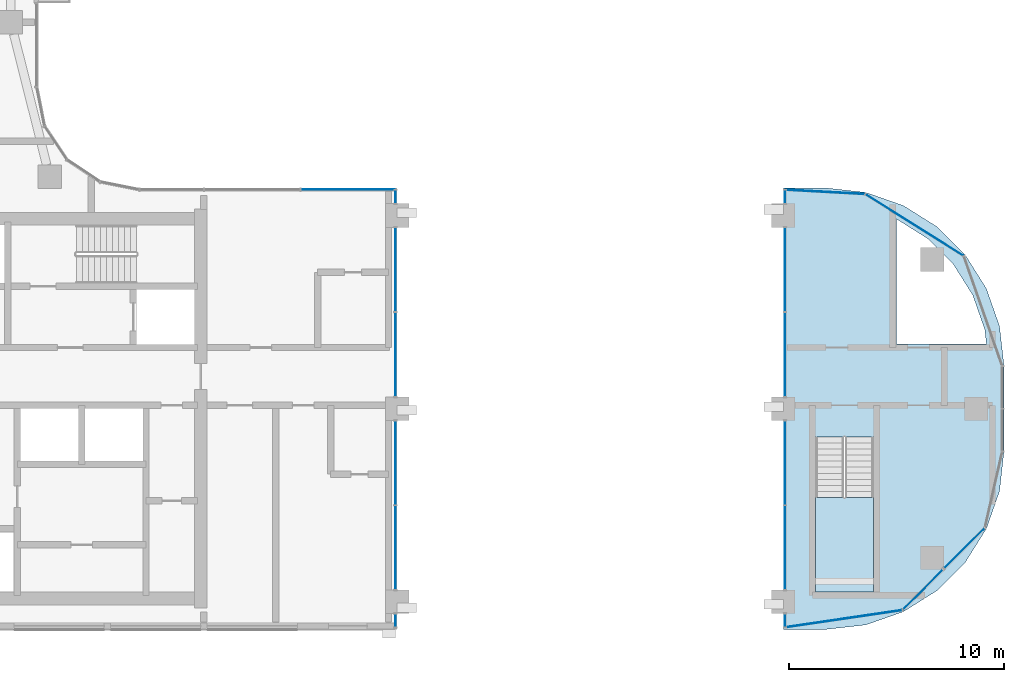
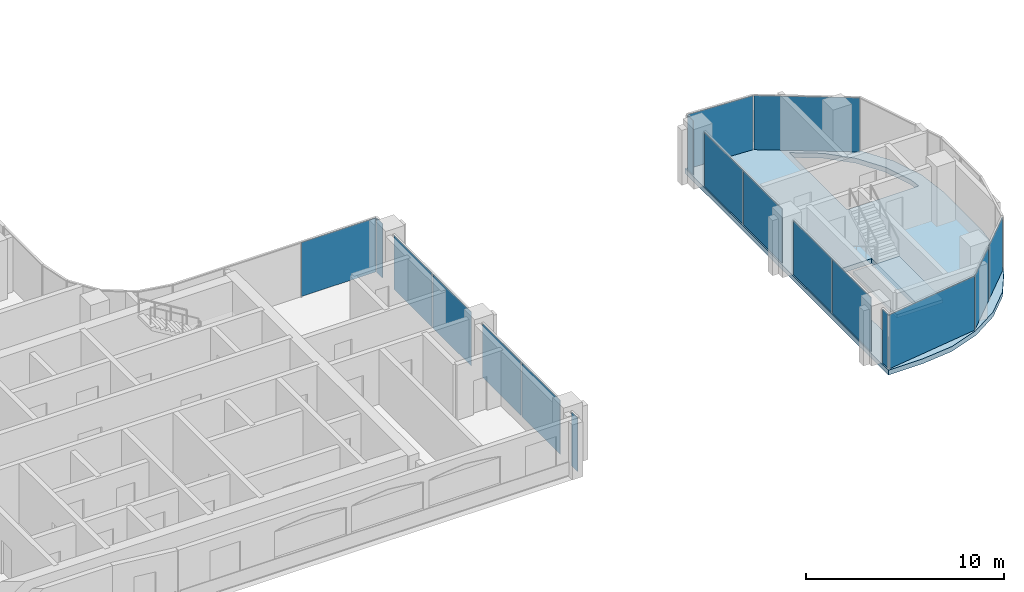
# One storey, part 8 of 23: 18 plates, 2 slabs, 13 elements without a shape of their own.
"""IFC4 building model written with IfcOpenShell, lengths in metres."""

from ifc_helpers import new_model, si_unit, direction, frame, origin, origin_2d, place, context, subcontext, project, spatial, polyline, rectangle, outline, extrude, material, layer, layer_set, type_object, element, aggregate, save


model = new_model("IFC4")

# Units and contexts
model_context = context("Model", 3, precision=1e-05, world=origin(), true_north=direction((0.0, 1.0)))
body_context = subcontext(model_context, "Body", "Model", "MODEL_VIEW")
ifc_project = project(units=[si_unit("LENGTHUNIT", "METRE"), si_unit("AREAUNIT", "SQUARE_METRE"), si_unit("VOLUMEUNIT", "CUBIC_METRE"), si_unit("PLANEANGLEUNIT", "RADIAN"), si_unit("MASSUNIT", "GRAM", prefix="KILO")], contexts=[model_context])

# Site, building, storey
site_placement = place(None, origin())
site = spatial("IfcSite", under=ifc_project, at=site_placement, CompositionType="ELEMENT")
building_placement = place(site_placement, origin())
building = spatial("IfcBuilding", under=site, at=building_placement, Name="Ogive Portal Towers", CompositionType="ELEMENT")
storey_placement = place(building_placement, frame((0.0, 0.0, 164.39990234375)))
storey = spatial("IfcBuildingStorey", under=building, at=storey_placement, Name="L40", CompositionType="ELEMENT", Elevation=164.39990234375)

# Curtain wall, plate
ifc_material_1 = material(Name="Glass, clear low-iron insulated glazing", Category="glass")
curtain_wall_type_1 = type_object("IfcCurtainWallType", Name="CW PORTAL REVEAL", PredefinedType="NOTDEFINED", material=ifc_material_1)
curtain_wall_1_placement = place(storey_placement, origin())
curtain_wall_1 = element("IfcCurtainWall", 1, at=curtain_wall_1_placement, inside=storey, type_object=curtain_wall_type_1, Name="A:L40:f06:cw0~0", PredefinedType="NOTDEFINED")
ifc_layer_1 = layer(ifc_material_1, 0.028076171875)
ifc_layer_set_1 = layer_set([ifc_layer_1], Name="CW PANEL IGU 28")
plate_type = type_object("IfcPlateType", Name="CW PANEL IGU 28", PredefinedType="CURTAIN_PANEL", material=ifc_layer_set_1)
plate_1_placement = place(storey_placement, frame((67.419921875, 20.62255859375, 0.0), z_axis=(0.0, 0.0, 1.0), x_axis=(0.0, 1.0, 0.0)))
plate_1 = element("IfcPlate", 2, at=plate_1_placement, type_object=plate_type, Name="panel", PredefinedType="CURTAIN_PANEL", context=body_context, shape_type="SweptSolid", body=[
    extrude(rectangle(XDim=0.594970703125, YDim=0.028076171875, at=origin_2d()), origin(), (0.0, 0.0, 1.0), 3.340087890625),
])
aggregate(curtain_wall_1, [plate_1])

# Curtain wall, plates
curtain_wall_2_placement = place(storey_placement, origin())
curtain_wall_2 = element("IfcCurtainWall", 3, at=curtain_wall_2_placement, inside=storey, type_object=curtain_wall_type_1, Name="A:L40:f06:cw0~1", PredefinedType="NOTDEFINED")
plate_2_placement = place(storey_placement, frame((67.419921875, 24.02490234375, 0.0), z_axis=(0.0, 0.0, 1.0), x_axis=(0.0, 1.0, 0.0)))
plate_2 = element("IfcPlate", 4, at=plate_2_placement, type_object=plate_type, Name="panel", PredefinedType="CURTAIN_PANEL", context=body_context, shape_type="SweptSolid", body=[
    extrude(rectangle(XDim=3.889892578125, YDim=0.028076171875, at=origin_2d()), origin(), (0.0, 0.0, 1.0), 3.340087890625),
])
plate_3_placement = place(storey_placement, frame((67.419921875, 27.97509765625, 0.0), z_axis=(0.0, 0.0, 1.0), x_axis=(0.0, 1.0, 0.0)))
plate_3 = element("IfcPlate", 5, at=plate_3_placement, type_object=plate_type, Name="panel", PredefinedType="CURTAIN_PANEL", context=body_context, shape_type="SweptSolid", body=[
    extrude(rectangle(XDim=3.889892578125, YDim=0.028076171875, at=origin_2d()), origin(), (0.0, 0.0, 1.0), 3.340087890625),
])
aggregate(curtain_wall_2, [plate_2, plate_3])

curtain_wall_3_placement = place(storey_placement, origin())
curtain_wall_3 = element("IfcCurtainWall", 6, at=curtain_wall_3_placement, inside=storey, type_object=curtain_wall_type_1, Name="A:L40:f06:cw0~2", PredefinedType="NOTDEFINED")
plate_4_placement = place(storey_placement, frame((67.419921875, 33.02490234375, 0.0), z_axis=(0.0, 0.0, 1.0), x_axis=(0.0, 1.0, 0.0)))
plate_4 = element("IfcPlate", 7, at=plate_4_placement, type_object=plate_type, Name="panel", PredefinedType="CURTAIN_PANEL", context=body_context, shape_type="SweptSolid", body=[
    extrude(rectangle(XDim=3.889892578125, YDim=0.028076171875, at=origin_2d()), origin(), (0.0, 0.0, 1.0), 3.340087890625),
])
plate_5_placement = place(storey_placement, frame((67.419921875, 36.97509765625, 0.0), z_axis=(0.0, 0.0, 1.0), x_axis=(0.0, 1.0, 0.0)))
plate_5 = element("IfcPlate", 8, at=plate_5_placement, type_object=plate_type, Name="panel", PredefinedType="CURTAIN_PANEL", context=body_context, shape_type="SweptSolid", body=[
    extrude(rectangle(XDim=3.889892578125, YDim=0.028076171875, at=origin_2d()), origin(), (0.0, 0.0, 1.0), 3.340087890625),
])
aggregate(curtain_wall_3, [plate_4, plate_5])

# Curtain wall, plate
curtain_wall_4_placement = place(storey_placement, origin())
curtain_wall_4 = element("IfcCurtainWall", 9, at=curtain_wall_4_placement, inside=storey, type_object=curtain_wall_type_1, Name="A:L40:f06:cw0~3", PredefinedType="NOTDEFINED")
plate_6_placement = place(storey_placement, frame((67.419921875, 40.37744140625, 0.0), z_axis=(0.0, 0.0, 1.0), x_axis=(0.0, 1.0, 0.0)))
plate_6 = element("IfcPlate", 10, at=plate_6_placement, type_object=plate_type, Name="panel", PredefinedType="CURTAIN_PANEL", context=body_context, shape_type="SweptSolid", body=[
    extrude(rectangle(XDim=0.594970703125, YDim=0.028076171875, at=origin_2d()), origin(), (0.0, 0.0, 1.0), 3.340087890625),
])
aggregate(curtain_wall_4, [plate_6])

curtain_wall_type_2 = type_object("IfcCurtainWallType", Name="CW FRONT RIBBON 4500", PredefinedType="NOTDEFINED", material=ifc_material_1)
curtain_wall_5_placement = place(storey_placement, origin())
curtain_wall_5 = element("IfcCurtainWall", 11, at=curtain_wall_5_placement, inside=storey, type_object=curtain_wall_type_2, Name="A:L40:f07:cw0", PredefinedType="NOTDEFINED")
plate_7_placement = place(storey_placement, frame((65.2099609375, 40.705078125, 0.0), z_axis=(0.0, 0.0, 1.0), x_axis=(-1.0, 0.0, 0.0)))
plate_7 = element("IfcPlate", 12, at=plate_7_placement, type_object=plate_type, Name="panel", PredefinedType="CURTAIN_PANEL", context=body_context, shape_type="SweptSolid", body=[
    extrude(rectangle(XDim=4.360107421875, YDim=0.028076171875, at=origin_2d()), origin(), (0.0, 0.0, 1.0), 3.340087890625),
])
aggregate(curtain_wall_5, [plate_7])

curtain_wall_6_placement = place(storey_placement, origin())
curtain_wall_6 = element("IfcCurtainWall", 13, at=curtain_wall_6_placement, inside=storey, type_object=curtain_wall_type_1, Name="A:L40:f22:cw0~0", PredefinedType="NOTDEFINED")
plate_8_placement = place(storey_placement, frame((85.580078125, 40.375244140625, 0.0), z_axis=(0.0, 0.0, 1.0), x_axis=(0.0, -1.0, 0.0)))
plate_8 = element("IfcPlate", 14, at=plate_8_placement, type_object=plate_type, Name="panel", PredefinedType="CURTAIN_PANEL", context=body_context, shape_type="SweptSolid", body=[
    extrude(rectangle(XDim=0.590576171875, YDim=0.028076171875, at=origin_2d()), origin(), (0.0, 0.0, 1.0), 3.340087890625),
])
aggregate(curtain_wall_6, [plate_8])

# Curtain wall, plates
curtain_wall_7_placement = place(storey_placement, origin())
curtain_wall_7 = element("IfcCurtainWall", 15, at=curtain_wall_7_placement, inside=storey, type_object=curtain_wall_type_1, Name="A:L40:f22:cw0~1", PredefinedType="NOTDEFINED")
plate_9_placement = place(storey_placement, frame((85.580078125, 36.97509765625, 0.0), z_axis=(0.0, 0.0, 1.0), x_axis=(0.0, -1.0, 0.0)))
plate_9 = element("IfcPlate", 16, at=plate_9_placement, type_object=plate_type, Name="panel", PredefinedType="CURTAIN_PANEL", context=body_context, shape_type="SweptSolid", body=[
    extrude(rectangle(XDim=3.889892578125, YDim=0.028076171875, at=origin_2d()), origin(), (0.0, 0.0, 1.0), 3.340087890625),
])
plate_10_placement = place(storey_placement, frame((85.580078125, 33.02490234375, 0.0), z_axis=(0.0, 0.0, 1.0), x_axis=(0.0, -1.0, 0.0)))
plate_10 = element("IfcPlate", 17, at=plate_10_placement, type_object=plate_type, Name="panel", PredefinedType="CURTAIN_PANEL", context=body_context, shape_type="SweptSolid", body=[
    extrude(rectangle(XDim=3.889892578125, YDim=0.028076171875, at=origin_2d()), origin(), (0.0, 0.0, 1.0), 3.340087890625),
])
aggregate(curtain_wall_7, [plate_9, plate_10])

curtain_wall_8_placement = place(storey_placement, origin())
curtain_wall_8 = element("IfcCurtainWall", 18, at=curtain_wall_8_placement, inside=storey, type_object=curtain_wall_type_1, Name="A:L40:f22:cw0~2", PredefinedType="NOTDEFINED")
plate_11_placement = place(storey_placement, frame((85.580078125, 27.97509765625, 0.0), z_axis=(0.0, 0.0, 1.0), x_axis=(0.0, -1.0, 0.0)))
plate_11 = element("IfcPlate", 19, at=plate_11_placement, type_object=plate_type, Name="panel", PredefinedType="CURTAIN_PANEL", context=body_context, shape_type="SweptSolid", body=[
    extrude(rectangle(XDim=3.889892578125, YDim=0.028076171875, at=origin_2d()), origin(), (0.0, 0.0, 1.0), 3.340087890625),
])
plate_12_placement = place(storey_placement, frame((85.580078125, 24.02490234375, 0.0), z_axis=(0.0, 0.0, 1.0), x_axis=(0.0, -1.0, 0.0)))
plate_12 = element("IfcPlate", 20, at=plate_12_placement, type_object=plate_type, Name="panel", PredefinedType="CURTAIN_PANEL", context=body_context, shape_type="SweptSolid", body=[
    extrude(rectangle(XDim=3.889892578125, YDim=0.028076171875, at=origin_2d()), origin(), (0.0, 0.0, 1.0), 3.340087890625),
])
aggregate(curtain_wall_8, [plate_11, plate_12])

# Curtain wall, plate
curtain_wall_9_placement = place(storey_placement, origin())
curtain_wall_9 = element("IfcCurtainWall", 21, at=curtain_wall_9_placement, inside=storey, type_object=curtain_wall_type_1, Name="A:L40:f22:cw0~3", PredefinedType="NOTDEFINED")
plate_13_placement = place(storey_placement, frame((85.580078125, 20.62890625, 0.0), z_axis=(0.0, 0.0, 1.0), x_axis=(0.0, -1.0, 0.0)))
plate_13 = element("IfcPlate", 22, at=plate_13_placement, type_object=plate_type, Name="panel", PredefinedType="CURTAIN_PANEL", context=body_context, shape_type="SweptSolid", body=[
    extrude(rectangle(XDim=0.58251953125, YDim=0.028076171875, at=origin_2d()), origin(), (0.0, 0.0, 1.0), 3.340087890625),
])
aggregate(curtain_wall_9, [plate_13])

# Curtain wall, plates
curtain_wall_10_placement = place(storey_placement, origin())
curtain_wall_10 = element("IfcCurtainWall", 23, at=curtain_wall_10_placement, inside=storey, type_object=curtain_wall_type_2, Name="A:L40:f23:cwa~0", PredefinedType="NOTDEFINED")
plate_14_placement = place(storey_placement, frame((88.318359375, 20.709228515625, 0.0), z_axis=(0.0, 0.0, 1.0), x_axis=(0.989417123185, 0.145099125939, 0.0)))
plate_14 = element("IfcPlate", 24, at=plate_14_placement, type_object=plate_type, Name="panel", PredefinedType="CURTAIN_PANEL", context=body_context, shape_type="SweptSolid", body=[
    extrude(rectangle(XDim=5.4755859375, YDim=0.028076171875, at=origin_2d()), origin(), (0.0, 0.0, 1.0), 3.340087890625),
])
plate_15_placement = place(storey_placement, frame((92.00146484375, 22.055419921875, 0.0), z_axis=(0.0, 0.0, 1.0), x_axis=(0.707106781187, 0.707106781187, 0.0)))
plate_15 = element("IfcPlate", 25, at=plate_15_placement, type_object=plate_type, Name="panel", PredefinedType="CURTAIN_PANEL", context=body_context, shape_type="SweptSolid", body=[
    extrude(rectangle(XDim=2.61181640625, YDim=0.028076171875, at=origin_2d()), origin(), (0.0, 0.0, 1.0), 3.340087890625),
])
aggregate(curtain_wall_10, [plate_14, plate_15])

# Curtain wall, plate
curtain_wall_11_placement = place(storey_placement, origin())
curtain_wall_11 = element("IfcCurtainWall", 26, at=curtain_wall_11_placement, inside=storey, type_object=curtain_wall_type_2, Name="A:L40:f23:cwa~1", PredefinedType="NOTDEFINED")
plate_16_placement = place(storey_placement, frame((93.94580078125, 23.999755859375, 0.0), z_axis=(0.0, 0.0, 1.0), x_axis=(0.707106781187, 0.707106781187, 0.0)))
plate_16 = element("IfcPlate", 27, at=plate_16_placement, type_object=plate_type, Name="panel", PredefinedType="CURTAIN_PANEL", context=body_context, shape_type="SweptSolid", body=[
    extrude(rectangle(XDim=2.615234375, YDim=0.028076171875, at=origin_2d()), origin(), (0.0, 0.0, 1.0), 3.340087890625),
])
aggregate(curtain_wall_11, [plate_16])

# Curtain wall, plates
curtain_wall_12_placement = place(storey_placement, origin())
curtain_wall_12 = element("IfcCurtainWall", 28, at=curtain_wall_12_placement, inside=storey, type_object=curtain_wall_type_2, Name="A:L40:f27:cwa", PredefinedType="NOTDEFINED")
plate_17_placement = place(storey_placement, frame((91.614990234375, 39.0556640625, 0.0), z_axis=(0.0, 0.0, 1.0), x_axis=(-0.846724199227, 0.532032076517, 0.0)))
plate_17 = element("IfcPlate", 29, at=plate_17_placement, type_object=plate_type, Name="panel", PredefinedType="CURTAIN_PANEL", context=body_context, shape_type="SweptSolid", body=[
    extrude(rectangle(XDim=5.364013671875, YDim=0.028076171875, at=origin_2d()), origin(), (0.0, 0.0, 1.0), 3.340087890625),
])
plate_18_placement = place(storey_placement, frame((87.44921875, 40.599609375, 0.0), z_axis=(0.0, 0.0, 1.0), x_axis=(-0.998542821468, 0.053965115528, 0.0)))
plate_18 = element("IfcPlate", 30, at=plate_18_placement, type_object=plate_type, Name="panel", PredefinedType="CURTAIN_PANEL", context=body_context, shape_type="SweptSolid", body=[
    extrude(rectangle(XDim=3.68408203125, YDim=0.028076171875, at=origin_2d()), origin(), (0.0, 0.0, 1.0), 3.340087890625),
])
aggregate(curtain_wall_12, [plate_17, plate_18])

# Stair, slab
ifc_material_2 = material(Name="Concrete C40/50", Category="concrete")
stair_type = type_object("IfcStairType", Name="INT-STAIR", PredefinedType="HALF_TURN_STAIR", material=ifc_material_2)
stair_placement = place(storey_placement, origin())
stair = element("IfcStair", 31, at=stair_placement, inside=storey, type_object=stair_type, Name="L40 Exit Stair ST-A4", PredefinedType="HALF_TURN_STAIR")
ifc_layer_2 = layer(ifc_material_2, 0.199951171875)
ifc_layer_set_2 = layer_set([ifc_layer_2], Name="INT-LANDING")
slab_type_1 = type_object("IfcSlabType", Name="INT-LANDING", PredefinedType="LANDING", material=ifc_layer_set_2)
slab_1_placement = place(storey_placement, frame((0.0, 0.0, 1.650146484375)))
slab_1 = element("IfcSlab", 32, at=slab_1_placement, type_object=slab_type_1, Name="ST-A4 landing 1", PredefinedType="LANDING", context=body_context, shape_type="SweptSolid", body=[
    extrude(outline(polyline([(87.0, 26.3701171875), (87.0, 21.949951171875), (89.699951171875, 21.949951171875), (89.699951171875, 26.3701171875), (87.0, 26.3701171875)])), origin(), (0.0, 0.0, 1.0), 0.199951171875),
])
aggregate(stair, [slab_1])

# Slab
ifc_material_3 = material(Name="Concrete C45/55", Category="concrete")
ifc_layer_3 = layer(ifc_material_3, 0.300048828125)
ifc_layer_set_3 = layer_set([ifc_layer_3], Name="PT FLAT PLATE 300")
slab_type_2 = type_object("IfcSlabType", Name="PT FLAT PLATE 300", PredefinedType="FLOOR", material=ifc_layer_set_3)
slab_2_placement = place(storey_placement, frame((0.0, 0.0, -0.2998046875)))
element("IfcSlab", 33, at=slab_2_placement, inside=storey, type_object=slab_type_2, Name="Floor slab L40", PredefinedType="FLOOR", context=body_context, shape_type="SweptSolid", body=[
    extrude(outline(polyline([(89.343505859375, 40.577392578125), (87.5, 40.784912109375), (85.5, 40.784912109375), (85.5, 20.215087890625), (87.5, 20.215087890625), (89.343505859375, 20.422607421875), (91.0947265625, 21.035400390625), (92.66552734375, 22.0224609375), (93.9775390625, 23.33447265625), (94.964599609375, 24.9052734375), (95.577392578125, 26.656494140625), (95.784912109375, 28.5), (95.784912109375, 32.5), (95.577392578125, 34.343505859375), (94.964599609375, 36.0947265625), (93.9775390625, 37.66552734375), (92.66552734375, 38.9775390625), (91.0947265625, 39.964599609375), (89.343505859375, 40.577392578125)]), holes=[polyline([(87.001953125, 21.951904296875), (87.001953125, 29.16796875), (89.697998046875, 29.16796875), (89.697998046875, 21.951904296875), (87.001953125, 21.951904296875)]), polyline([(93.4267578125, 37.226318359375), (94.329833984375, 35.7890625), (94.890380859375, 34.186767578125), (94.965576171875, 33.52001953125), (90.77001953125, 33.52001953125), (90.77001953125, 39.33642578125), (90.7890625, 39.329833984375), (92.226318359375, 38.4267578125), (93.4267578125, 37.226318359375)])]), origin(), (0.0, 0.0, 1.0), 0.2998046875),
])

save(model, "model.ifc")
